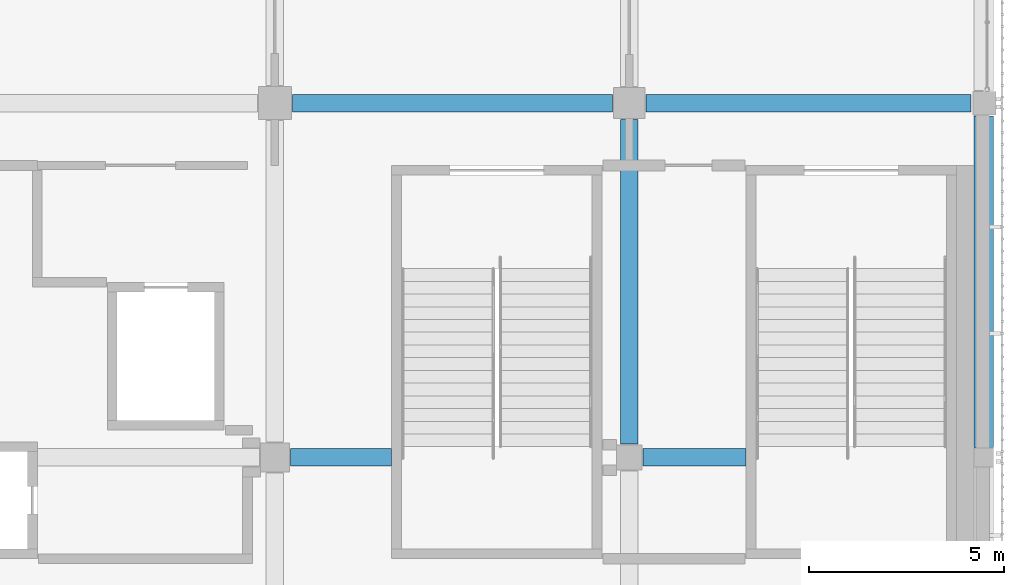
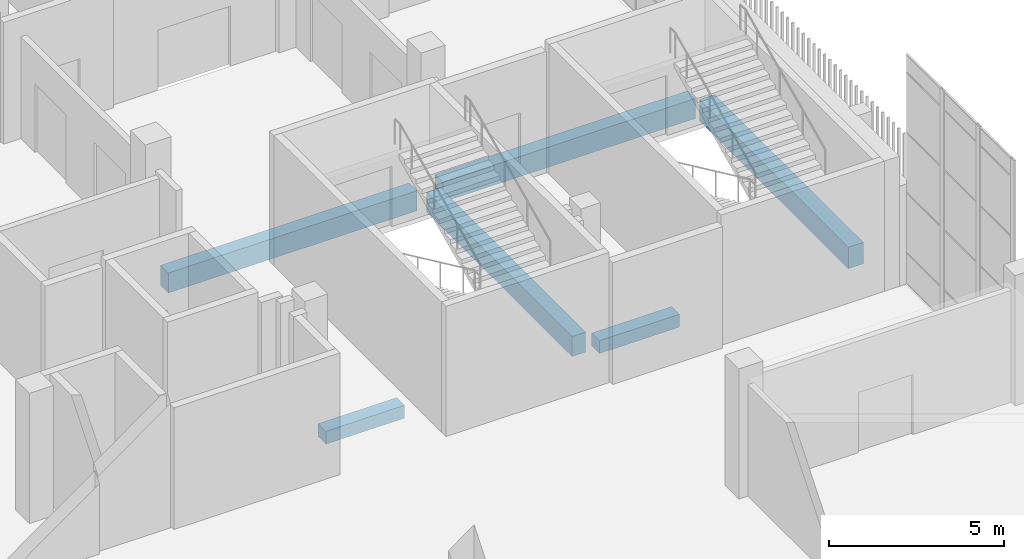
# One storey, part 57 of 126: 6 beams.
"""IFC4 building model written with IfcOpenShell, lengths in metres."""

from ifc_helpers import new_model, si_unit, direction, frame, origin, origin_2d, place, context, subcontext, project, spatial, rectangle, extrude, material, material_profile, profile_set, type_object, element, save


model = new_model("IFC4")

# Units and contexts
model_context = context("Model", 3, precision=1e-05, world=origin(), true_north=direction((0.0, 1.0)))
body_context = subcontext(model_context, "Body", "Model", "MODEL_VIEW")
ifc_project = project(units=[si_unit("LENGTHUNIT", "METRE"), si_unit("AREAUNIT", "SQUARE_METRE"), si_unit("VOLUMEUNIT", "CUBIC_METRE"), si_unit("PLANEANGLEUNIT", "RADIAN"), si_unit("MASSUNIT", "GRAM", prefix="KILO")], contexts=[model_context])

# Site, building, storey
site_placement = place(None, origin())
site = spatial("IfcSite", under=ifc_project, at=site_placement, CompositionType="ELEMENT")
building_placement = place(site_placement, origin())
building = spatial("IfcBuilding", under=site, at=building_placement, Name="Shirokan Park Arena", CompositionType="ELEMENT")
storey_placement = place(building_placement, frame((0.0, 0.0, 6.3701171875)))
storey = spatial("IfcBuildingStorey", under=building, at=storey_placement, Name="L01", CompositionType="ELEMENT", Elevation=6.3701171875)

# Beams
ifc_material = material(Name="Concrete C35", Category="concrete")
ifc_material_profile_1 = material_profile(ifc_material, rectangle(XDim=0.449951171875, YDim=0.699951171875, at=origin_2d()), Name="450x700")
ifc_profile_set_1 = profile_set([ifc_material_profile_1], Name="Concrete C35")
beam_type_1 = type_object("IfcBeamType", Name="RC girder 450x700", PredefinedType="BEAM", material=ifc_profile_set_1)
beam_1_placement = place(storey_placement, frame((127.85009765625, 91.0, -0.7001953125), z_axis=(1.0, 0.0, 0.0), x_axis=(0.0, 1.0, 0.0)))
element("IfcBeam", 1, at=beam_1_placement, inside=storey, type_object=beam_type_1, Name="Girder 15L-16L L01", PredefinedType="BEAM", context=body_context, shape_type="SweptSolid", body=[
    extrude(rectangle(XDim=0.449951171875, YDim=0.699951171875, at=origin_2d()), origin(), (0.0, 0.0, 1.0), 8.224853515625),
])
beam_2_placement = place(storey_placement, frame((136.925048828125, 91.0, -0.7001953125), z_axis=(1.0, 0.0, 0.0), x_axis=(0.0, 1.0, 0.0)))
element("IfcBeam", 2, at=beam_2_placement, inside=storey, type_object=beam_type_1, Name="Girder 16L-17L L01", PredefinedType="BEAM", context=body_context, shape_type="SweptSolid", body=[
    extrude(rectangle(XDim=0.449951171875, YDim=0.699951171875, at=origin_2d()), origin(), (0.0, 0.0, 1.0), 8.349853515625),
])
beam_3_placement = place(storey_placement, frame((136.5, 82.25, -0.7001953125), z_axis=(0.0, 1.0, 0.0), x_axis=(-1.0, 0.0, 0.0)))
element("IfcBeam", 3, at=beam_3_placement, inside=storey, type_object=beam_type_1, Name="Girder 16K-16L L01", PredefinedType="BEAM", context=body_context, shape_type="SweptSolid", body=[
    extrude(rectangle(XDim=0.449951171875, YDim=0.699951171875, at=origin_2d()), origin(), (0.0, 0.0, 1.0), 8.324951171875),
])
ifc_material_profile_2 = material_profile(ifc_material, rectangle(XDim=0.5, YDim=0.75, at=origin_2d()), Name="500x750")
ifc_profile_set_2 = profile_set([ifc_material_profile_2], Name="Concrete C35")
beam_type_2 = type_object("IfcBeamType", Name="RC girder 500x750", PredefinedType="BEAM", material=ifc_profile_set_2)
beam_4_placement = place(storey_placement, frame((145.60009765625, 82.150146484375, -0.72509765625), z_axis=(0.0, 1.0, 0.0), x_axis=(-1.0, 0.0, 0.0)))
element("IfcBeam", 4, at=beam_4_placement, inside=storey, type_object=beam_type_2, Name="Girder 17K-17L L01", PredefinedType="BEAM", context=body_context, shape_type="SweptSolid", body=[
    extrude(rectangle(XDim=0.5, YDim=0.75, at=origin_2d()), origin(), (0.0, 0.0, 1.0), 8.524658203125),
])
ifc_material_profile_3 = material_profile(ifc_material, rectangle(XDim=0.449951171875, YDim=0.449951171875, at=origin_2d()), Name="450x450")
ifc_profile_set_3 = profile_set([ifc_material_profile_3], Name="Concrete C35")
beam_type_3 = type_object("IfcBeamType", Name="RC trimmer 450x450", PredefinedType="BEAM", material=ifc_profile_set_3)
beam_5_placement = place(storey_placement, frame((127.800048828125, 81.89990234375, -0.5751953125), z_axis=(1.0, 0.0, 0.0), x_axis=(0.0, 1.0, 0.0)))
element("IfcBeam", 5, at=beam_5_placement, inside=storey, type_object=beam_type_3, Name="Girder 15K-16K L01", PredefinedType="BEAM", context=body_context, shape_type="SweptSolid", body=[
    extrude(rectangle(XDim=0.449951171875, YDim=0.449951171875, at=origin_2d()), origin(), (0.0, 0.0, 1.0), 2.599853515625),
])
beam_6_placement = place(storey_placement, frame((136.85009765625, 81.89990234375, -0.5751953125), z_axis=(1.0, 0.0, 0.0), x_axis=(0.0, 1.0, 0.0)))
element("IfcBeam", 6, at=beam_6_placement, inside=storey, type_object=beam_type_3, Name="Girder 16K-17K L01", PredefinedType="BEAM", context=body_context, shape_type="SweptSolid", body=[
    extrude(rectangle(XDim=0.449951171875, YDim=0.449951171875, at=origin_2d()), origin(), (0.0, 0.0, 1.0), 2.64990234375),
])

save(model, "model.ifc")
